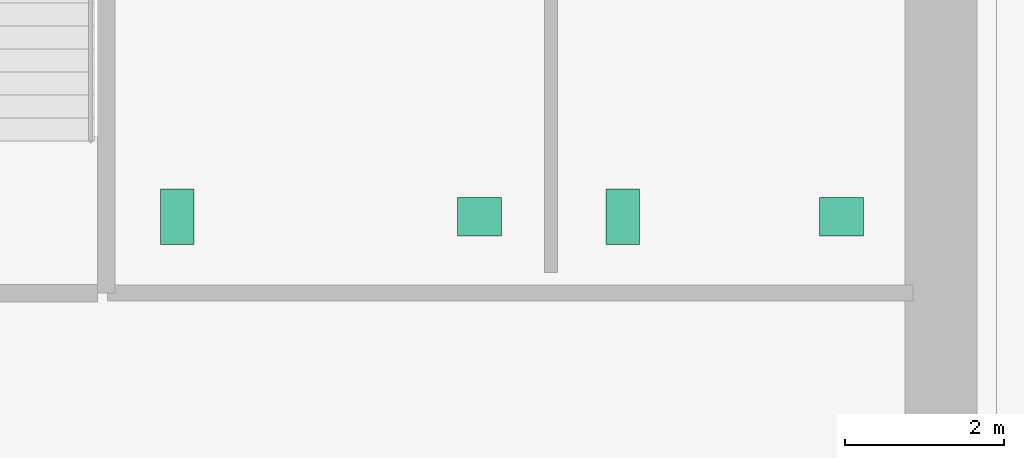
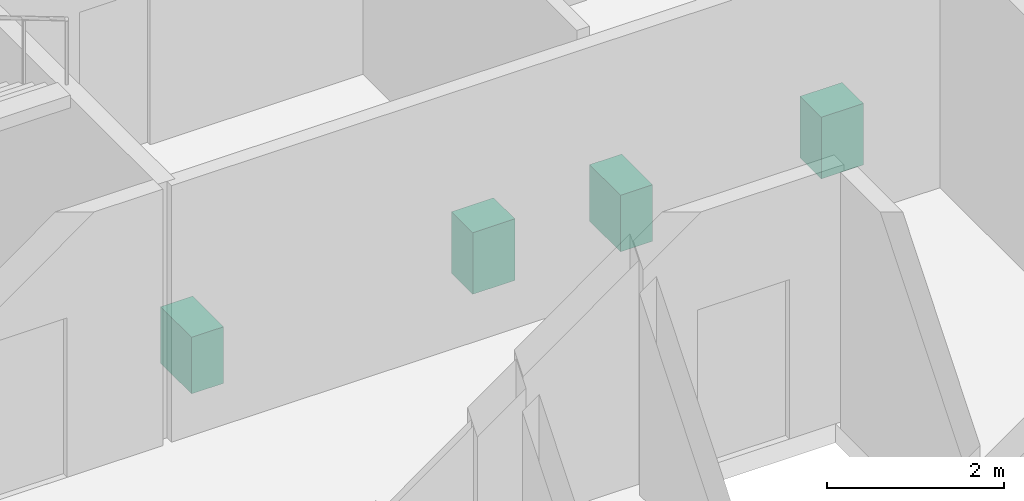
# One storey, part 13 of 13: 4 sanitary terminals.
"""IFC4 building model written with IfcOpenShell, lengths in metres."""

import ifcopenshell
import ifcopenshell.guid

model = None  # the IFC model being written
_history = None  # IfcOwnerHistory: only IFC2X3 demands one
_inside = {}  # id of a spatial element -> (the spatial element, [elements in it])
_under = {}  # id of a project, library or spatial element -> (it, [spatial elements below it])
_declared = {}  # id of a project -> (the project, [libraries it declares])
_typed = {}  # id of a type object -> (the type object, [elements of that type])
_made_of = {}  # id of a material, layer set ... -> (it, [elements and type objects made of it])


def new_model(schema):
    """Start an empty IFC model of exactly this schema.

    Asked for "IFC4X3", IfcOpenShell would pick the latest addendum, in which some entities
    have other attributes; the version numbers below select the first issue.
    IFC2X3 requires an IfcOwnerHistory on every rooted entity: one is made here for all.
    """
    global model, _history
    if schema == "IFC4X3":
        model = ifcopenshell.file(schema_version=(4, 3, 0, 0))
    else:
        model = ifcopenshell.file(schema=schema)
    _inside.clear()
    _under.clear()
    _declared.clear()
    _typed.clear()
    _made_of.clear()
    _history = None
    if model.schema == "IFC2X3":
        org = make("IfcOrganization", Name="unknown")
        user = make(
            "IfcPersonAndOrganization",
            ThePerson=make("IfcPerson", FamilyName="unknown"),
            TheOrganization=org,
        )
        app = make(
            "IfcApplication",
            ApplicationDeveloper=org,
            Version="unknown",
            ApplicationFullName="unknown",
            ApplicationIdentifier="unknown",
        )
        _history = make(
            "IfcOwnerHistory",
            OwningUser=user,
            OwningApplication=app,
            ChangeAction="ADDED",
            CreationDate=0,
        )
    return model


def make(cls, **values):
    """One entity of the class cls with the attributes given. An attribute that is None is left unset."""
    return model.create_entity(
        cls, **{name: value for name, value in values.items() if value is not None}
    )


def rooted(cls, **values):
    """An entity with a GlobalId (a new one), such as an element, a storey or a relation."""
    return make(cls, GlobalId=ifcopenshell.guid.new(), OwnerHistory=_history, **values)


def si_unit(unit_type, name, prefix=None):
    """IfcSIUnit, for example si_unit("LENGTHUNIT", "METRE", prefix="MILLI")."""
    return make("IfcSIUnit", UnitType=unit_type, Prefix=prefix, Name=name)


def assignment(units):
    """IfcUnitAssignment: the units of a project."""
    return None if units is None else make("IfcUnitAssignment", Units=units)


def point(xyz):
    """IfcCartesianPoint."""
    return None if xyz is None else make("IfcCartesianPoint", Coordinates=xyz)


def direction(xyz):
    """IfcDirection."""
    return None if xyz is None else make("IfcDirection", DirectionRatios=xyz)


def frame(location, z_axis=None, x_axis=None):
    """IfcAxis2Placement3D, a coordinate frame: its origin and axes. An axis left out is left unset."""
    return make(
        "IfcAxis2Placement3D",
        Location=point(location),
        Axis=direction(z_axis),
        RefDirection=direction(x_axis),
    )


def frame_2d(location, x_axis=None):
    """IfcAxis2Placement2D, a coordinate frame in the plane: its origin and x axis."""
    return make(
        "IfcAxis2Placement2D", Location=point(location), RefDirection=direction(x_axis)
    )


def origin():
    """The frame at (0, 0, 0) with its axes left unset."""
    return frame((0.0, 0.0, 0.0))


def origin_2d():
    """The frame at (0, 0) in the plane with its x axis left unset."""
    return frame_2d((0.0, 0.0))


def place(relative_to, where):
    """IfcLocalPlacement: puts the frame where relative to a parent placement (None: the world)."""
    return make(
        "IfcLocalPlacement", PlacementRelTo=relative_to, RelativePlacement=where
    )


def context(
    kind, dimensions, precision=None, world=None, true_north=None, identifier=None
):
    """IfcGeometricRepresentationContext, for example the 3D "Model" context."""
    return make(
        "IfcGeometricRepresentationContext",
        ContextIdentifier=identifier,
        ContextType=kind,
        CoordinateSpaceDimension=dimensions,
        Precision=precision,
        WorldCoordinateSystem=world,
        TrueNorth=true_north,
    )


def subcontext(parent, identifier, kind, view, scale=None):
    """IfcGeometricRepresentationSubContext, for example "Body" below "Model"."""
    return make(
        "IfcGeometricRepresentationSubContext",
        ContextIdentifier=identifier,
        ContextType=kind,
        ParentContext=parent,
        TargetScale=scale,
        TargetView=view,
    )


def project(units=None, contexts=None):
    """IfcProject with its units and contexts."""
    return rooted(
        "IfcProject",
        Name="project",
        RepresentationContexts=contexts,
        UnitsInContext=assignment(units),
    )


def spatial(cls, under=None, at=None, **own):
    """A site, building, storey or space (cls), placed at a placement, below another one or the project."""
    s = rooted(cls, ObjectPlacement=at, **own)
    if under is not None:
        _under.setdefault(under.id(), (under, []))[1].append(s)
    return s


def profile(cls, at=None, kind="AREA", **sizes):
    """A parametric profile (cls). Its sizes go by their IFC names, for example OverallWidth=200.0."""
    return make(cls, ProfileType=kind, Position=at, **sizes)


def rectangle(**sizes):
    """IfcRectangleProfileDef."""
    return profile("IfcRectangleProfileDef", **sizes)


def extrude(swept, where, along, depth):
    """IfcExtrudedAreaSolid: the profile swept, set in the frame where, extruded along a direction by depth."""
    return make(
        "IfcExtrudedAreaSolid",
        SweptArea=swept,
        Position=where,
        ExtrudedDirection=direction(along),
        Depth=depth,
    )


def shape(context_of_items, identifier, shape_type, items):
    """IfcShapeRepresentation: the items that make up one representation, for example the "Body"."""
    return make(
        "IfcShapeRepresentation",
        ContextOfItems=context_of_items,
        RepresentationIdentifier=identifier,
        RepresentationType=shape_type,
        Items=items,
    )


def material(Name=None, Category=None):
    """IfcMaterial."""
    return make("IfcMaterial", Name=Name, Category=Category)


def made_of(thing, what):
    """Note that an element or type object is made of a material, layer set ...; save() writes the relation."""
    if what is not None:
        _made_of.setdefault(what.id(), (what, []))[1].append(thing)
    return thing


def type_object(cls, material=None, **own):
    """A type object (cls), such as IfcWallType, which elements share."""
    return made_of(rooted(cls, **own), material)


def element(
    cls,
    number,
    at=None,
    inside=None,
    cuts=None,
    type_object=None,
    material=None,
    context=None,
    identifier="Body",
    shape_type=None,
    held_by="IfcProductDefinitionShape",
    body=None,
    shapes=None,
    **own,
):
    """One element of the class cls, such as IfcWall. Its Tag is "e" and its number.

    at: its placement. inside: the storey or other place that contains it. cuts: it is an
    opening in that element (IfcRelVoidsElement). A single representation is given by context,
    identifier, shape_type and body (its items); several are given by shapes. held_by: the class
    of the entity that holds the representations. save() writes the other relations.
    """
    e = rooted(cls, Tag="e%d" % number, ObjectPlacement=at, **own)
    if body is not None:
        shapes = [shape(context, identifier, shape_type, body)]
    if shapes is not None:
        e.Representation = make(held_by, Representations=shapes)
    if inside is not None:
        _inside.setdefault(inside.id(), (inside, []))[1].append(e)
    if cuts is not None:
        rooted(
            "IfcRelVoidsElement", RelatingBuildingElement=cuts, RelatedOpeningElement=e
        )
    if type_object is not None:
        _typed.setdefault(type_object.id(), (type_object, []))[1].append(e)
    return made_of(e, material)


def aggregate(whole, parts):
    """IfcRelAggregates: a whole, such as a stair, and the parts it consists of."""
    return rooted("IfcRelAggregates", RelatingObject=whole, RelatedObjects=parts)


def save(model, path):
    """Write the relations noted so far, then the file.

    IfcRelAggregates (storeys below a building ...), IfcRelContainedInSpatialStructure (elements
    in a storey), IfcRelDefinesByType, IfcRelAssociatesMaterial and IfcRelDeclares: one each for
    every whole, place, type object, material and project.
    """
    for whole, parts in _under.values():
        aggregate(whole, parts)
    for where, things in _inside.values():
        rooted(
            "IfcRelContainedInSpatialStructure",
            RelatedElements=things,
            RelatingStructure=where,
        )
    for kind, things in _typed.values():
        rooted("IfcRelDefinesByType", RelatedObjects=things, RelatingType=kind)
    for what, things in _made_of.values():
        rooted("IfcRelAssociatesMaterial", RelatedObjects=things, RelatingMaterial=what)
    for by, libraries in _declared.values():
        rooted("IfcRelDeclares", RelatingContext=by, RelatedDefinitions=libraries)
    model.write(path)


model = new_model("IFC4")

# Units and contexts
model_context = context("Model", 3, precision=1e-05, world=origin(), true_north=direction((0.0, 1.0)))
body_context = subcontext(model_context, "Body", "Model", "MODEL_VIEW")
ifc_project = project(units=[si_unit("LENGTHUNIT", "METRE"), si_unit("AREAUNIT", "SQUARE_METRE"), si_unit("VOLUMEUNIT", "CUBIC_METRE"), si_unit("PLANEANGLEUNIT", "RADIAN"), si_unit("MASSUNIT", "GRAM", prefix="KILO")], contexts=[model_context])

# Site, building, storey
site_placement = place(None, origin())
site = spatial("IfcSite", under=ifc_project, at=site_placement, CompositionType="ELEMENT")
building_placement = place(site_placement, origin())
building = spatial("IfcBuilding", under=site, at=building_placement, Name="Norrvale University Quadrangle", CompositionType="ELEMENT")
storey_placement = place(building_placement, frame((0.0, 0.0, 43.199951171875)))
storey = spatial("IfcBuildingStorey", under=building, at=storey_placement, Name="L10", CompositionType="ELEMENT", Elevation=43.199951171875)

# Sanitary terminals
ifc_material = material(Name="Vitreous China Sanitaryware")
sanitary_terminal_type_1 = type_object("IfcSanitaryTerminalType", Name="Sanitary Wash Basin", PredefinedType="WASHHANDBASIN", material=ifc_material)
for number, where, z_axis, x_axis, name in (
    (1, (11.0, 41.10009765625, 0.0), (0.0, 0.0, 1.0), (1.0, 0.0, 0.0), "Accessible Countertop Washbasin L10-1"),
    (2, (15.550048828125, 41.10009765625, 0.0), (0.0, 0.0, 1.0), (1.0, 0.0, 0.0), "Accessible Countertop Washbasin L10-2"),
):
    element("IfcSanitaryTerminal", number, at=place(storey_placement, frame(where, z_axis=z_axis, x_axis=x_axis)), inside=storey, type_object=sanitary_terminal_type_1, Name=name, PredefinedType="WASHHANDBASIN", context=body_context, shape_type="SweptSolid", body=[
        extrude(rectangle(XDim=0.550048828125, YDim=0.47998046875, at=origin_2d()), origin(), (0.0, 0.0, 1.0), 0.85009765625),
    ])
sanitary_terminal_type_2 = type_object("IfcSanitaryTerminalType", Name="Sanitary Water Closet", PredefinedType="TOILETPAN", material=ifc_material)
for number, where, z_axis, x_axis, name in (
    (3, (7.199951171875, 41.10009765625, 0.0), (0.0, 0.0, 1.0), (1.0, 0.0, 0.0), "Wall-Hung Water Closet L10-1"),
    (4, (12.800048828125, 41.10009765625, 0.0), (0.0, 0.0, 1.0), (1.0, 0.0, 0.0), "Wall-Hung Water Closet L10-2"),
):
    element("IfcSanitaryTerminal", number, at=place(storey_placement, frame(where, z_axis=z_axis, x_axis=x_axis)), inside=storey, type_object=sanitary_terminal_type_2, Name=name, PredefinedType="TOILETPAN", context=body_context, shape_type="SweptSolid", body=[
        extrude(rectangle(XDim=0.419921875, YDim=0.699951171875, at=origin_2d()), origin(), (0.0, 0.0, 1.0), 0.780029296875),
    ])

save(model, "model.ifc")
